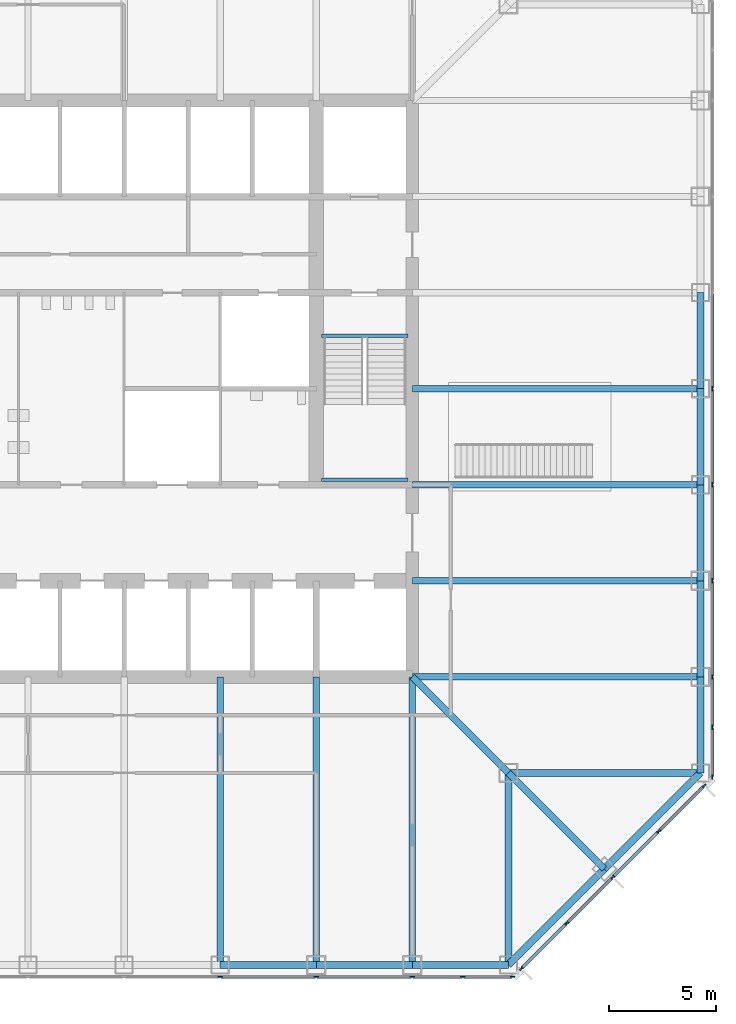
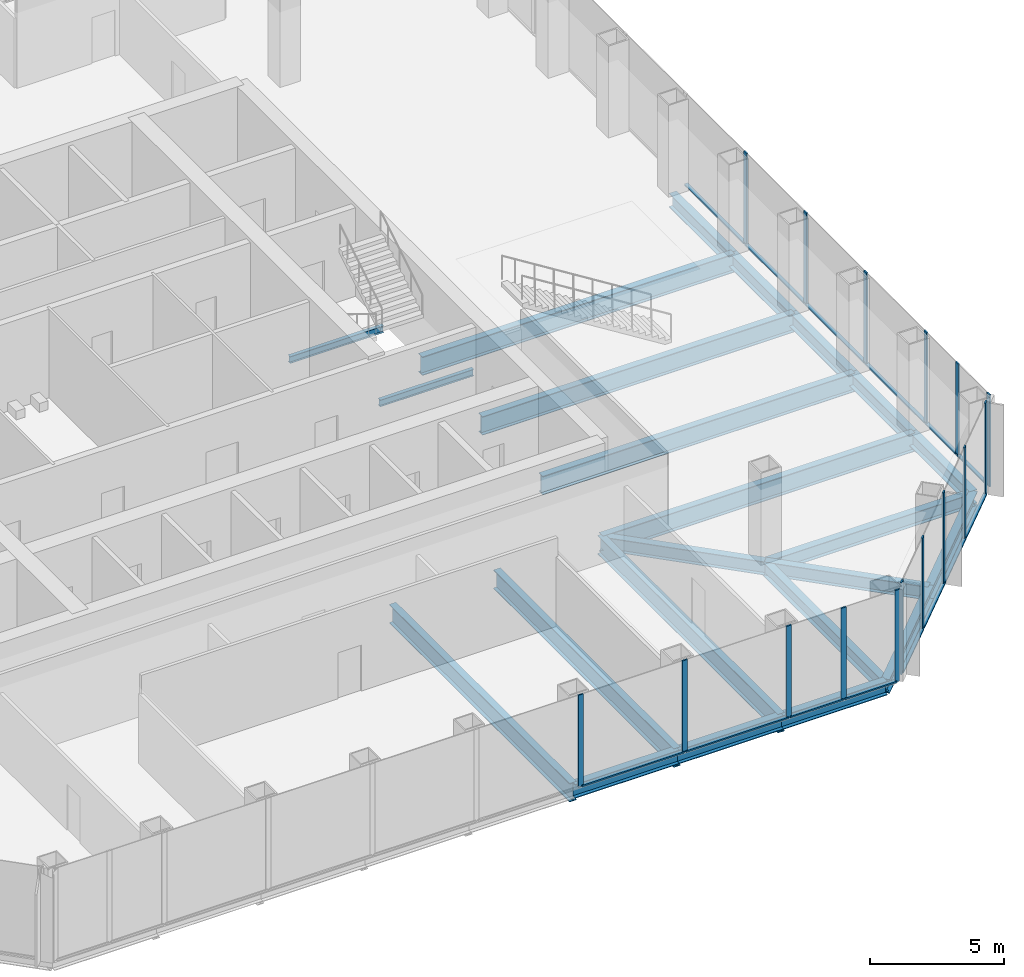
# One storey, part 4 of 12: 30 members, 23 beams, 3 elements without a shape of their own.
"""IFC4 building model written with IfcOpenShell, lengths in metres."""

from ifc_helpers import new_model, si_unit, direction, frame, origin, origin_2d, place, context, subcontext, project, spatial, rectangle, i_section, extrude, material, material_profile, profile_set, type_object, element, aggregate, save


model = new_model("IFC4")

# Units and contexts
model_context = context("Model", 3, precision=1e-05, world=origin(), true_north=direction((0.0, 1.0)))
body_context = subcontext(model_context, "Body", "Model", "MODEL_VIEW")
ifc_project = project(units=[si_unit("LENGTHUNIT", "METRE"), si_unit("AREAUNIT", "SQUARE_METRE"), si_unit("VOLUMEUNIT", "CUBIC_METRE"), si_unit("PLANEANGLEUNIT", "RADIAN"), si_unit("MASSUNIT", "GRAM", prefix="KILO")], contexts=[model_context])

# Site, building, storey
site_placement = place(None, origin())
site = spatial("IfcSite", under=ifc_project, at=site_placement, CompositionType="ELEMENT")
building_placement = place(site_placement, origin())
building = spatial("IfcBuilding", under=site, at=building_placement, Name="Corais Broadcast Tower", CompositionType="ELEMENT")
storey_placement = place(building_placement, frame((0.0, 0.0, 29.0)))
storey = spatial("IfcBuildingStorey", under=building, at=storey_placement, Name="L05", CompositionType="ELEMENT", Elevation=29.0)

# Beams
ifc_material_1 = material(Name="Steel ASTM A572 Grade 50", Category="steel")
ifc_material_profile_1 = material_profile(ifc_material_1, i_section(OverallWidth=0.323974609375, OverallDepth=0.611083984375, WebThickness=0.0126953125, FlangeThickness=0.01904296875, at=origin_2d()), Name="W610x155")
ifc_profile_set_1 = profile_set([ifc_material_profile_1], Name="Steel ASTM A572 Grade 50")
beam_type_1 = type_object("IfcBeamType", Name="Chamfer tie W610x155", PredefinedType="BEAM", material=ifc_profile_set_1)
beam_1_placement = place(storey_placement, frame((49.5, 4.5, -0.465576171875), z_axis=(-0.707106781187, 0.707106781187, 0.0), x_axis=(-0.707106781187, -0.707106781187, 0.0)))
element("IfcBeam", 1, at=beam_1_placement, inside=storey, type_object=beam_type_1, Name="B5 B/14 to C/13", PredefinedType="BEAM", context=body_context, shape_type="SweptSolid", body=[
    extrude(i_section(OverallWidth=0.323974609375, OverallDepth=0.611083984375, WebThickness=0.0126953125, FlangeThickness=0.01904296875, at=origin_2d()), origin(), (0.0, 0.0, 1.0), 6.364013671875),
])
ifc_material_2 = material(Name="Steel ASTM A572 Grade 50", Category="steel")
ifc_material_profile_2 = material_profile(ifc_material_2, i_section(OverallWidth=0.323974609375, OverallDepth=0.611083984375, WebThickness=0.0126953125, FlangeThickness=0.01904296875, at=origin_2d()), Name="W610x155")
ifc_profile_set_2 = profile_set([ifc_material_profile_2], Name="Steel ASTM A572 Grade 50")
beam_type_2 = type_object("IfcBeamType", Name="Corner diagonal W610x155", PredefinedType="BEAM", material=ifc_profile_set_2)
beam_2_placement = place(storey_placement, frame((45.0, 9.0, -0.465576171875), z_axis=(-0.707106781187, 0.707106781187, 0.0), x_axis=(-0.707106781187, -0.707106781187, 0.0)))
element("IfcBeam", 2, at=beam_2_placement, inside=storey, type_object=beam_type_2, Name="B6 C/13 to D/12", PredefinedType="BEAM", context=body_context, shape_type="SweptSolid", body=[
    extrude(i_section(OverallWidth=0.323974609375, OverallDepth=0.611083984375, WebThickness=0.0126953125, FlangeThickness=0.01904296875, at=origin_2d()), origin(), (0.0, 0.0, 1.0), 6.364013671875),
])
ifc_material_3 = material(Name="Steel ASTM A572 Grade 50", Category="steel")
ifc_material_profile_3 = material_profile(ifc_material_3, i_section(OverallWidth=0.323974609375, OverallDepth=0.611083984375, WebThickness=0.0126953125, FlangeThickness=0.01904296875, at=origin_2d()), Name="W610x155")
ifc_profile_set_3 = profile_set([ifc_material_profile_3], Name="Steel ASTM A572 Grade 50")
beam_type_3 = type_object("IfcBeamType", Name="Corner girder W610x155", PredefinedType="BEAM", material=ifc_profile_set_3)
for number, where, z_axis, x_axis, name in (
    (3, (45.0, 0.0, -0.465576171875), (0.0, 1.0, 0.0), (-1.0, 0.0, 0.0), "B4 A/13 to C/13"),
    (4, (54.0, 9.0, -0.465576171875), (-1.0, 0.0, 0.0), (0.0, -1.0, 0.0), "B4 C/15 to C/13"),
):
    element("IfcBeam", number, at=place(storey_placement, frame(where, z_axis=z_axis, x_axis=x_axis)), inside=storey, type_object=beam_type_3, Name=name, PredefinedType="BEAM", context=body_context, shape_type="SweptSolid", body=[
        extrude(i_section(OverallWidth=0.323974609375, OverallDepth=0.611083984375, WebThickness=0.0126953125, FlangeThickness=0.01904296875, at=origin_2d()), origin(), (0.0, 0.0, 1.0), 9.0),
    ])
ifc_material_4 = material(Name="Steel ASTM A572 Grade 50", Category="steel")
ifc_material_profile_4 = material_profile(ifc_material_4, i_section(OverallWidth=0.2939453125, OverallDepth=0.85107421875, WebThickness=0.01611328125, FlangeThickness=0.02685546875, at=origin_2d()), Name="W840x226")
ifc_profile_set_4 = profile_set([ifc_material_profile_4], Name="Steel ASTM A572 Grade 50")
beam_type_4 = type_object("IfcBeamType", Name="Floor beam W840x226", PredefinedType="BEAM", material=ifc_profile_set_4)
for number, where, z_axis, x_axis, name in (
    (5, (31.5, 0.0, -0.58544921875), (0.0, 1.0, 0.0), (-1.0, 0.0, 0.0), "B1 A/10 to D/10"),
    (6, (36.0, 0.0, -0.58544921875), (0.0, 1.0, 0.0), (-1.0, 0.0, 0.0), "B1 A/11 to D/11"),
    (7, (40.5, 0.0, -0.58544921875), (0.0, 1.0, 0.0), (-1.0, 0.0, 0.0), "B1 A/12 to D/12"),
    (8, (54.0, 13.5, -0.58544921875), (-1.0, 0.0, 0.0), (0.0, -1.0, 0.0), "B1 D/15 to D/12"),
    (9, (54.0, 18.0, -0.58544921875), (-1.0, 0.0, 0.0), (0.0, -1.0, 0.0), "B1 E/15 to E/12"),
    (10, (54.0, 22.5, -0.58544921875), (-1.0, 0.0, 0.0), (0.0, -1.0, 0.0), "B1 F/15 to F/12"),
    (11, (54.0, 27.0, -0.58544921875), (-1.0, 0.0, 0.0), (0.0, -1.0, 0.0), "B1 G/15 to G/12"),
):
    element("IfcBeam", number, at=place(storey_placement, frame(where, z_axis=z_axis, x_axis=x_axis)), inside=storey, type_object=beam_type_4, Name=name, PredefinedType="BEAM", context=body_context, shape_type="SweptSolid", body=[
        extrude(i_section(OverallWidth=0.2939453125, OverallDepth=0.85107421875, WebThickness=0.01611328125, FlangeThickness=0.02685546875, at=origin_2d()), origin(), (0.0, 0.0, 1.0), 13.5),
    ])
ifc_material_5 = material(Name="Steel ASTM A572 Grade 50", Category="steel")
ifc_material_profile_5 = material_profile(ifc_material_5, i_section(OverallWidth=0.1650390625, OverallDepth=0.31005859375, WebThickness=0.005859375, FlangeThickness=0.009765625, at=origin_2d()), Name="W310x38.7")
ifc_profile_set_5 = profile_set([ifc_material_profile_5], Name="Steel ASTM A572 Grade 50")
beam_type_5 = type_object("IfcBeamType", Name="Landing trimmer W310x38.7", PredefinedType="BEAM", material=ifc_profile_set_5)
for number, where, z_axis, x_axis, name in (
    (12, (36.25, 29.47509765625, -0.35498046875), (1.0, 0.0, 0.0), (0.0, 1.0, 0.0), "LT1 stair B landing trimmer L05"),
    (13, (36.25, 22.739990234375, 1.7451171875), (1.0, 0.0, 0.0), (0.0, 1.0, 0.0), "LT1 stair B half landing trimmer L05"),
):
    element("IfcBeam", number, at=place(storey_placement, frame(where, z_axis=z_axis, x_axis=x_axis)), inside=storey, type_object=beam_type_5, Name=name, PredefinedType="BEAM", context=body_context, shape_type="SweptSolid", body=[
        extrude(i_section(OverallWidth=0.1650390625, OverallDepth=0.31005859375, WebThickness=0.005859375, FlangeThickness=0.009765625, at=origin_2d()), origin(), (0.0, 0.0, 1.0), 4.050048828125),
    ])

# Curtain wall, members
ifc_material_6 = material(Name="Aluminium and glass", Category="aluminium")
curtain_wall_type = type_object("IfcCurtainWallType", Name="Newsroom clear-glass curtain wall CW7", PredefinedType="NOTDEFINED", material=ifc_material_6)
curtain_wall_1_placement = place(storey_placement, origin())
curtain_wall_1 = element("IfcCurtainWall", 14, at=curtain_wall_1_placement, inside=storey, type_object=curtain_wall_type, Name="CW7 curtain wall L05 6", PredefinedType="NOTDEFINED")
ifc_material_7 = material(Name="Aluminium 6063-T6", Category="aluminium")
ifc_material_profile_6 = material_profile(ifc_material_7, rectangle(XDim=0.06494140625, YDim=0.219970703125, at=origin_2d()), Name="Mullion CW7 65x220")
ifc_profile_set_6 = profile_set([ifc_material_profile_6], Name="Aluminium 6063-T6")
member_type_1 = type_object("IfcMemberType", Name="Mullion CW7 65x220", PredefinedType="MULLION", material=ifc_profile_set_6)
member_1_placement = place(storey_placement, frame((54.550048828125, 27.0, 0.0), z_axis=(0.0, 0.0, 1.0), x_axis=(1.0, 0.0, 0.0)))
member_1 = element("IfcMember", 15, at=member_1_placement, type_object=member_type_1, Name="CW7 mullion 6", PredefinedType="MULLION", context=body_context, shape_type="SweptSolid", body=[
    extrude(rectangle(XDim=0.06494140625, YDim=0.219970703125, at=origin_2d()), origin(), (0.0, 0.0, 1.0), 4.199951171875),
])
member_2_placement = place(storey_placement, frame((54.550048828125, 22.5, 0.0), z_axis=(0.0, 0.0, 1.0), x_axis=(1.0, 0.0, 0.0)))
member_2 = element("IfcMember", 16, at=member_2_placement, type_object=member_type_1, Name="CW7 mullion 7", PredefinedType="MULLION", context=body_context, shape_type="SweptSolid", body=[
    extrude(rectangle(XDim=0.06494140625, YDim=0.219970703125, at=origin_2d()), origin(), (0.0, 0.0, 1.0), 4.199951171875),
])
member_3_placement = place(storey_placement, frame((54.550048828125, 18.0, 0.0), z_axis=(0.0, 0.0, 1.0), x_axis=(1.0, 0.0, 0.0)))
member_3 = element("IfcMember", 17, at=member_3_placement, type_object=member_type_1, Name="CW7 mullion 8", PredefinedType="MULLION", context=body_context, shape_type="SweptSolid", body=[
    extrude(rectangle(XDim=0.06494140625, YDim=0.219970703125, at=origin_2d()), origin(), (0.0, 0.0, 1.0), 4.199951171875),
])
member_4_placement = place(storey_placement, frame((54.550048828125, 13.5, 0.0), z_axis=(0.0, 0.0, 1.0), x_axis=(1.0, 0.0, 0.0)))
member_4 = element("IfcMember", 18, at=member_4_placement, type_object=member_type_1, Name="CW7 mullion 9", PredefinedType="MULLION", context=body_context, shape_type="SweptSolid", body=[
    extrude(rectangle(XDim=0.06494140625, YDim=0.219970703125, at=origin_2d()), origin(), (0.0, 0.0, 1.0), 4.199951171875),
])
member_5_placement = place(storey_placement, frame((54.550048828125, 11.135986328125, 0.0), z_axis=(0.0, 0.0, 1.0), x_axis=(1.0, 0.0, 0.0)))
member_5 = element("IfcMember", 19, at=member_5_placement, type_object=member_type_1, Name="CW7 mullion 10", PredefinedType="MULLION", context=body_context, shape_type="SweptSolid", body=[
    extrude(rectangle(XDim=0.06494140625, YDim=0.219970703125, at=origin_2d()), origin(), (0.0, 0.0, 1.0), 4.199951171875),
])
member_6_placement = place(storey_placement, frame((54.550048828125, 8.8046875, 0.0), z_axis=(0.0, 0.0, 1.0), x_axis=(1.0, 0.0, 0.0)))
member_6 = element("IfcMember", 20, at=member_6_placement, type_object=member_type_1, Name="CW7 mullion 11", PredefinedType="MULLION", context=body_context, shape_type="SweptSolid", body=[
    extrude(rectangle(XDim=0.06494140625, YDim=0.219970703125, at=origin_2d()), origin(), (0.0, 0.0, 1.0), 4.199951171875),
])

curtain_wall_2_placement = place(storey_placement, origin())
curtain_wall_2 = element("IfcCurtainWall", 21, at=curtain_wall_2_placement, inside=storey, type_object=curtain_wall_type, Name="CW7 curtain wall L05 7", PredefinedType="NOTDEFINED")
member_7_placement = place(storey_placement, frame((54.17333984375, 8.3955078125, 0.0), z_axis=(0.0, 0.0, 1.0), x_axis=(0.707106781187, -0.707106781187, 0.0)))
member_7 = element("IfcMember", 22, at=member_7_placement, type_object=member_type_1, Name="CW7 mullion 1", PredefinedType="MULLION", context=body_context, shape_type="SweptSolid", body=[
    extrude(rectangle(XDim=0.06494140625, YDim=0.219970703125, at=origin_2d()), origin(), (0.0, 0.0, 1.0), 4.199951171875),
])
member_8_placement = place(storey_placement, frame((52.042724609375, 6.264892578125, 0.0), z_axis=(0.0, 0.0, 1.0), x_axis=(0.707106781187, -0.707106781187, 0.0)))
member_8 = element("IfcMember", 23, at=member_8_placement, type_object=member_type_1, Name="CW7 mullion 2", PredefinedType="MULLION", context=body_context, shape_type="SweptSolid", body=[
    extrude(rectangle(XDim=0.06494140625, YDim=0.219970703125, at=origin_2d()), origin(), (0.0, 0.0, 1.0), 4.199951171875),
])
member_9_placement = place(storey_placement, frame((49.888916015625, 4.111083984375, 0.0), z_axis=(0.0, 0.0, 1.0), x_axis=(0.707106781187, -0.707106781187, 0.0)))
member_9 = element("IfcMember", 24, at=member_9_placement, type_object=member_type_1, Name="CW7 mullion 3", PredefinedType="MULLION", context=body_context, shape_type="SweptSolid", body=[
    extrude(rectangle(XDim=0.06494140625, YDim=0.219970703125, at=origin_2d()), origin(), (0.0, 0.0, 1.0), 4.199951171875),
])
member_10_placement = place(storey_placement, frame((47.735107421875, 1.957275390625, 0.0), z_axis=(0.0, 0.0, 1.0), x_axis=(0.707106781187, -0.707106781187, 0.0)))
member_10 = element("IfcMember", 25, at=member_10_placement, type_object=member_type_1, Name="CW7 mullion 4", PredefinedType="MULLION", context=body_context, shape_type="SweptSolid", body=[
    extrude(rectangle(XDim=0.06494140625, YDim=0.219970703125, at=origin_2d()), origin(), (0.0, 0.0, 1.0), 4.199951171875),
])
member_11_placement = place(storey_placement, frame((45.6044921875, -0.17333984375, 0.0), z_axis=(0.0, 0.0, 1.0), x_axis=(0.707106781187, -0.707106781187, 0.0)))
member_11 = element("IfcMember", 26, at=member_11_placement, type_object=member_type_1, Name="CW7 mullion 5", PredefinedType="MULLION", context=body_context, shape_type="SweptSolid", body=[
    extrude(rectangle(XDim=0.06494140625, YDim=0.219970703125, at=origin_2d()), origin(), (0.0, 0.0, 1.0), 4.199951171875),
])

curtain_wall_3_placement = place(storey_placement, origin())
curtain_wall_3 = element("IfcCurtainWall", 27, at=curtain_wall_3_placement, inside=storey, type_object=curtain_wall_type, Name="CW7 curtain wall L05 8", PredefinedType="NOTDEFINED")
member_12_placement = place(storey_placement, frame((45.1953125, -0.550048828125, 0.0), z_axis=(0.0, 0.0, 1.0), x_axis=(0.0, -1.0, 0.0)))
member_12 = element("IfcMember", 28, at=member_12_placement, type_object=member_type_1, Name="CW7 mullion 1", PredefinedType="MULLION", context=body_context, shape_type="SweptSolid", body=[
    extrude(rectangle(XDim=0.06494140625, YDim=0.219970703125, at=origin_2d()), origin(), (0.0, 0.0, 1.0), 4.199951171875),
])
member_13_placement = place(storey_placement, frame((42.864013671875, -0.550048828125, 0.0), z_axis=(0.0, 0.0, 1.0), x_axis=(0.0, -1.0, 0.0)))
member_13 = element("IfcMember", 29, at=member_13_placement, type_object=member_type_1, Name="CW7 mullion 2", PredefinedType="MULLION", context=body_context, shape_type="SweptSolid", body=[
    extrude(rectangle(XDim=0.06494140625, YDim=0.219970703125, at=origin_2d()), origin(), (0.0, 0.0, 1.0), 4.199951171875),
])
member_14_placement = place(storey_placement, frame((40.5, -0.550048828125, 0.0), z_axis=(0.0, 0.0, 1.0), x_axis=(0.0, -1.0, 0.0)))
member_14 = element("IfcMember", 30, at=member_14_placement, type_object=member_type_1, Name="CW7 mullion 3", PredefinedType="MULLION", context=body_context, shape_type="SweptSolid", body=[
    extrude(rectangle(XDim=0.06494140625, YDim=0.219970703125, at=origin_2d()), origin(), (0.0, 0.0, 1.0), 4.199951171875),
])
member_15_placement = place(storey_placement, frame((36.0, -0.550048828125, 0.0), z_axis=(0.0, 0.0, 1.0), x_axis=(0.0, -1.0, 0.0)))
member_15 = element("IfcMember", 31, at=member_15_placement, type_object=member_type_1, Name="CW7 mullion 4", PredefinedType="MULLION", context=body_context, shape_type="SweptSolid", body=[
    extrude(rectangle(XDim=0.06494140625, YDim=0.219970703125, at=origin_2d()), origin(), (0.0, 0.0, 1.0), 4.199951171875),
])
member_16_placement = place(storey_placement, frame((31.5, -0.550048828125, 0.0), z_axis=(0.0, 0.0, 1.0), x_axis=(0.0, -1.0, 0.0)))
member_16 = element("IfcMember", 32, at=member_16_placement, type_object=member_type_1, Name="CW7 mullion 5", PredefinedType="MULLION", context=body_context, shape_type="SweptSolid", body=[
    extrude(rectangle(XDim=0.06494140625, YDim=0.219970703125, at=origin_2d()), origin(), (0.0, 0.0, 1.0), 4.199951171875),
])

# Beams
ifc_material_8 = material(Name="Steel ASTM A572 Grade 50", Category="steel")
ifc_material_profile_7 = material_profile(ifc_material_8, i_section(OverallWidth=0.3291015625, OverallDepth=0.635009765625, WebThickness=0.017822265625, FlangeThickness=0.031005859375, at=origin_2d()), Name="W610x241")
ifc_profile_set_7 = profile_set([ifc_material_profile_7], Name="Steel ASTM A572 Grade 50")
beam_type_6 = type_object("IfcBeamType", Name="Spandrel W610x241", PredefinedType="BEAM", material=ifc_profile_set_7)
for number, where, z_axis, x_axis, name in (
    (33, (31.5, 0.0, -0.4775390625), (1.0, 0.0, 0.0), (0.0, 1.0, 0.0), "SB1 A/10 to A/11"),
    (34, (36.0, 0.0, -0.4775390625), (1.0, 0.0, 0.0), (0.0, 1.0, 0.0), "SB1 A/11 to A/12"),
    (35, (40.5, 0.0, -0.4775390625), (1.0, 0.0, 0.0), (0.0, 1.0, 0.0), "SB1 A/12 to A/13"),
):
    element("IfcBeam", number, at=place(storey_placement, frame(where, z_axis=z_axis, x_axis=x_axis)), inside=storey, type_object=beam_type_6, Name=name, PredefinedType="BEAM", context=body_context, shape_type="SweptSolid", body=[
        extrude(i_section(OverallWidth=0.3291015625, OverallDepth=0.635009765625, WebThickness=0.017822265625, FlangeThickness=0.031005859375, at=origin_2d()), origin(), (0.0, 0.0, 1.0), 4.5),
    ])
for number, where, z_axis, x_axis, name in (
    (36, (45.0, 0.0, -0.4775390625), (0.707106781187, 0.707106781187, 0.0), (-0.707106781187, 0.707106781187, 0.0), "SB1 A/13 to B/14"),
    (37, (49.5, 4.5, -0.4775390625), (0.707106781187, 0.707106781187, 0.0), (-0.707106781187, 0.707106781187, 0.0), "SB1 B/14 to C/15"),
):
    element("IfcBeam", number, at=place(storey_placement, frame(where, z_axis=z_axis, x_axis=x_axis)), inside=storey, type_object=beam_type_6, Name=name, PredefinedType="BEAM", context=body_context, shape_type="SweptSolid", body=[
        extrude(i_section(OverallWidth=0.3291015625, OverallDepth=0.635009765625, WebThickness=0.017822265625, FlangeThickness=0.031005859375, at=origin_2d()), origin(), (0.0, 0.0, 1.0), 6.364013671875),
    ])
for number, where, z_axis, x_axis, name in (
    (38, (54.0, 13.5, -0.4775390625), (0.0, 1.0, 0.0), (-1.0, 0.0, 0.0), "SB1 D/15 to E/15"),
    (39, (54.0, 18.0, -0.4775390625), (0.0, 1.0, 0.0), (-1.0, 0.0, 0.0), "SB1 E/15 to F/15"),
    (40, (54.0, 22.5, -0.4775390625), (0.0, 1.0, 0.0), (-1.0, 0.0, 0.0), "SB1 F/15 to G/15"),
    (41, (54.0, 27.0, -0.4775390625), (0.0, 1.0, 0.0), (-1.0, 0.0, 0.0), "SB1 G/15 to H/15"),
    (42, (54.0, 9.0, -0.4775390625), (0.0, 1.0, 0.0), (-1.0, 0.0, 0.0), "SB1 C/15 to D/15"),
):
    element("IfcBeam", number, at=place(storey_placement, frame(where, z_axis=z_axis, x_axis=x_axis)), inside=storey, type_object=beam_type_6, Name=name, PredefinedType="BEAM", context=body_context, shape_type="SweptSolid", body=[
        extrude(i_section(OverallWidth=0.3291015625, OverallDepth=0.635009765625, WebThickness=0.017822265625, FlangeThickness=0.031005859375, at=origin_2d()), origin(), (0.0, 0.0, 1.0), 4.5),
    ])

# Member
ifc_material_9 = material(Name="Aluminium 6063-T6", Category="aluminium")
ifc_material_profile_8 = material_profile(ifc_material_9, rectangle(XDim=0.14990234375, YDim=0.06494140625, at=origin_2d()), Name="Transom CW7 65x150")
ifc_profile_set_8 = profile_set([ifc_material_profile_8], Name="Aluminium 6063-T6")
member_type_2 = type_object("IfcMemberType", Name="Transom CW7 65x150", PredefinedType="USERDEFINED", material=ifc_profile_set_8)
member_17_placement = place(storey_placement, frame((54.550048828125, 31.467529296875, 0.032470703125), z_axis=(0.0, -1.0, 0.0), x_axis=(1.0, 0.0, 0.0)))
member_17 = element("IfcMember", 43, at=member_17_placement, type_object=member_type_2, Name="CW7 transom 5.1", ObjectType="TRANSOM", PredefinedType="USERDEFINED", context=body_context, shape_type="SweptSolid", body=[
    extrude(rectangle(XDim=0.14990234375, YDim=0.06494140625, at=origin_2d()), origin(), (0.0, 0.0, 1.0), 4.43505859375),
])

member_18_placement = place(storey_placement, frame((54.550048828125, 26.967529296875, 0.032470703125), z_axis=(0.0, -1.0, 0.0), x_axis=(1.0, 0.0, 0.0)))
member_18 = element("IfcMember", 44, at=member_18_placement, type_object=member_type_2, Name="CW7 transom 6.1", ObjectType="TRANSOM", PredefinedType="USERDEFINED", context=body_context, shape_type="SweptSolid", body=[
    extrude(rectangle(XDim=0.14990234375, YDim=0.06494140625, at=origin_2d()), origin(), (0.0, 0.0, 1.0), 4.43505859375),
])

member_19_placement = place(storey_placement, frame((54.550048828125, 22.467529296875, 0.032470703125), z_axis=(0.0, -1.0, 0.0), x_axis=(1.0, 0.0, 0.0)))
member_19 = element("IfcMember", 45, at=member_19_placement, type_object=member_type_2, Name="CW7 transom 7.1", ObjectType="TRANSOM", PredefinedType="USERDEFINED", context=body_context, shape_type="SweptSolid", body=[
    extrude(rectangle(XDim=0.14990234375, YDim=0.06494140625, at=origin_2d()), origin(), (0.0, 0.0, 1.0), 4.43505859375),
])

member_20_placement = place(storey_placement, frame((54.550048828125, 17.967529296875, 0.032470703125), z_axis=(0.0, -1.0, 0.0), x_axis=(1.0, 0.0, 0.0)))
member_20 = element("IfcMember", 46, at=member_20_placement, type_object=member_type_2, Name="CW7 transom 8.1", ObjectType="TRANSOM", PredefinedType="USERDEFINED", context=body_context, shape_type="SweptSolid", body=[
    extrude(rectangle(XDim=0.14990234375, YDim=0.06494140625, at=origin_2d()), origin(), (0.0, 0.0, 1.0), 4.43505859375),
])

member_21_placement = place(storey_placement, frame((54.550048828125, 13.467529296875, 0.032470703125), z_axis=(0.0, -1.0, 0.0), x_axis=(1.0, 0.0, 0.0)))
member_21 = element("IfcMember", 47, at=member_21_placement, type_object=member_type_2, Name="CW7 transom 9.1", ObjectType="TRANSOM", PredefinedType="USERDEFINED", context=body_context, shape_type="SweptSolid", body=[
    extrude(rectangle(XDim=0.14990234375, YDim=0.06494140625, at=origin_2d()), origin(), (0.0, 0.0, 1.0), 2.298828125),
])

member_22_placement = place(storey_placement, frame((54.550048828125, 11.103515625, 0.032470703125), z_axis=(0.0, -1.0, 0.0), x_axis=(1.0, 0.0, 0.0)))
member_22 = element("IfcMember", 48, at=member_22_placement, type_object=member_type_2, Name="CW7 transom 10.1", ObjectType="TRANSOM", PredefinedType="USERDEFINED", context=body_context, shape_type="SweptSolid", body=[
    extrude(rectangle(XDim=0.14990234375, YDim=0.06494140625, at=origin_2d()), origin(), (0.0, 0.0, 1.0), 2.266357421875),
])

aggregate(curtain_wall_1, [member_1, member_2, member_3, member_4, member_5, member_6, member_17, member_18, member_19, member_20, member_21, member_22])

member_23_placement = place(storey_placement, frame((54.150390625, 8.37255859375, 0.032470703125), z_axis=(-0.707106781187, -0.707106781187, 0.0), x_axis=(0.707106781187, -0.707106781187, 0.0)))
member_23 = element("IfcMember", 49, at=member_23_placement, type_object=member_type_2, Name="CW7 transom 1.1", ObjectType="TRANSOM", PredefinedType="USERDEFINED", context=body_context, shape_type="SweptSolid", body=[
    extrude(rectangle(XDim=0.14990234375, YDim=0.06494140625, at=origin_2d()), origin(), (0.0, 0.0, 1.0), 2.9482421875),
])

member_24_placement = place(storey_placement, frame((52.019775390625, 6.241943359375, 0.032470703125), z_axis=(-0.707106781187, -0.707106781187, 0.0), x_axis=(0.707106781187, -0.707106781187, 0.0)))
member_24 = element("IfcMember", 50, at=member_24_placement, type_object=member_type_2, Name="CW7 transom 2.1", ObjectType="TRANSOM", PredefinedType="USERDEFINED", context=body_context, shape_type="SweptSolid", body=[
    extrude(rectangle(XDim=0.14990234375, YDim=0.06494140625, at=origin_2d()), origin(), (0.0, 0.0, 1.0), 2.98095703125),
])

member_25_placement = place(storey_placement, frame((49.865966796875, 4.088134765625, 0.032470703125), z_axis=(-0.707106781187, -0.707106781187, 0.0), x_axis=(0.707106781187, -0.707106781187, 0.0)))
member_25 = element("IfcMember", 51, at=member_25_placement, type_object=member_type_2, Name="CW7 transom 3.1", ObjectType="TRANSOM", PredefinedType="USERDEFINED", context=body_context, shape_type="SweptSolid", body=[
    extrude(rectangle(XDim=0.14990234375, YDim=0.06494140625, at=origin_2d()), origin(), (0.0, 0.0, 1.0), 2.98095703125),
])

member_26_placement = place(storey_placement, frame((47.712158203125, 1.934326171875, 0.032470703125), z_axis=(-0.707106781187, -0.707106781187, 0.0), x_axis=(0.707106781187, -0.707106781187, 0.0)))
member_26 = element("IfcMember", 52, at=member_26_placement, type_object=member_type_2, Name="CW7 transom 4.1", ObjectType="TRANSOM", PredefinedType="USERDEFINED", context=body_context, shape_type="SweptSolid", body=[
    extrude(rectangle(XDim=0.14990234375, YDim=0.06494140625, at=origin_2d()), origin(), (0.0, 0.0, 1.0), 2.9482421875),
])

aggregate(curtain_wall_2, [member_7, member_8, member_9, member_10, member_11, member_23, member_24, member_25, member_26])

member_27_placement = place(storey_placement, frame((45.162841796875, -0.550048828125, 0.032470703125), z_axis=(-1.0, 0.0, 0.0), x_axis=(0.0, -1.0, 0.0)))
member_27 = element("IfcMember", 53, at=member_27_placement, type_object=member_type_2, Name="CW7 transom 1.1", ObjectType="TRANSOM", PredefinedType="USERDEFINED", context=body_context, shape_type="SweptSolid", body=[
    extrude(rectangle(XDim=0.14990234375, YDim=0.06494140625, at=origin_2d()), origin(), (0.0, 0.0, 1.0), 2.266357421875),
])

member_28_placement = place(storey_placement, frame((42.831298828125, -0.550048828125, 0.032470703125), z_axis=(-1.0, 0.0, 0.0), x_axis=(0.0, -1.0, 0.0)))
member_28 = element("IfcMember", 54, at=member_28_placement, type_object=member_type_2, Name="CW7 transom 2.1", ObjectType="TRANSOM", PredefinedType="USERDEFINED", context=body_context, shape_type="SweptSolid", body=[
    extrude(rectangle(XDim=0.14990234375, YDim=0.06494140625, at=origin_2d()), origin(), (0.0, 0.0, 1.0), 2.298828125),
])

member_29_placement = place(storey_placement, frame((40.467529296875, -0.550048828125, 0.032470703125), z_axis=(-1.0, 0.0, 0.0), x_axis=(0.0, -1.0, 0.0)))
member_29 = element("IfcMember", 55, at=member_29_placement, type_object=member_type_2, Name="CW7 transom 3.1", ObjectType="TRANSOM", PredefinedType="USERDEFINED", context=body_context, shape_type="SweptSolid", body=[
    extrude(rectangle(XDim=0.14990234375, YDim=0.06494140625, at=origin_2d()), origin(), (0.0, 0.0, 1.0), 4.43505859375),
])

member_30_placement = place(storey_placement, frame((35.967529296875, -0.550048828125, 0.032470703125), z_axis=(-1.0, 0.0, 0.0), x_axis=(0.0, -1.0, 0.0)))
member_30 = element("IfcMember", 56, at=member_30_placement, type_object=member_type_2, Name="CW7 transom 4.1", ObjectType="TRANSOM", PredefinedType="USERDEFINED", context=body_context, shape_type="SweptSolid", body=[
    extrude(rectangle(XDim=0.14990234375, YDim=0.06494140625, at=origin_2d()), origin(), (0.0, 0.0, 1.0), 4.43505859375),
])

aggregate(curtain_wall_3, [member_12, member_13, member_14, member_15, member_16, member_27, member_28, member_29, member_30])

save(model, "model.ifc")
